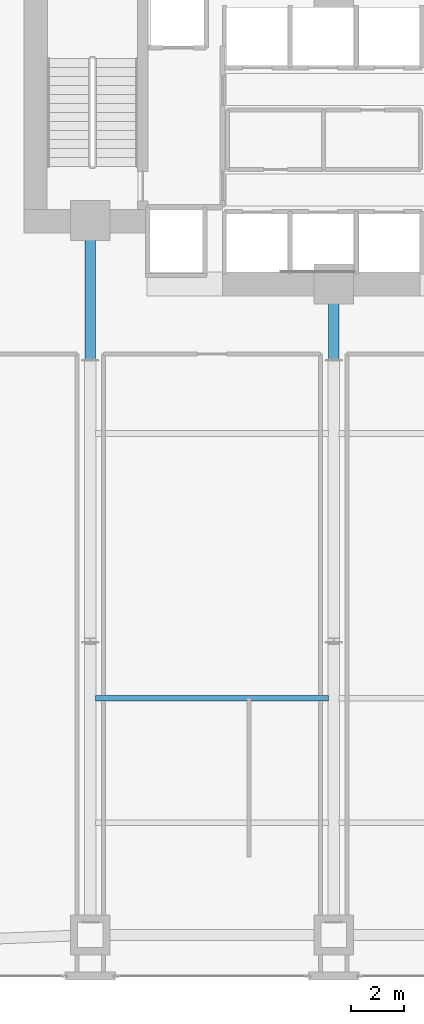
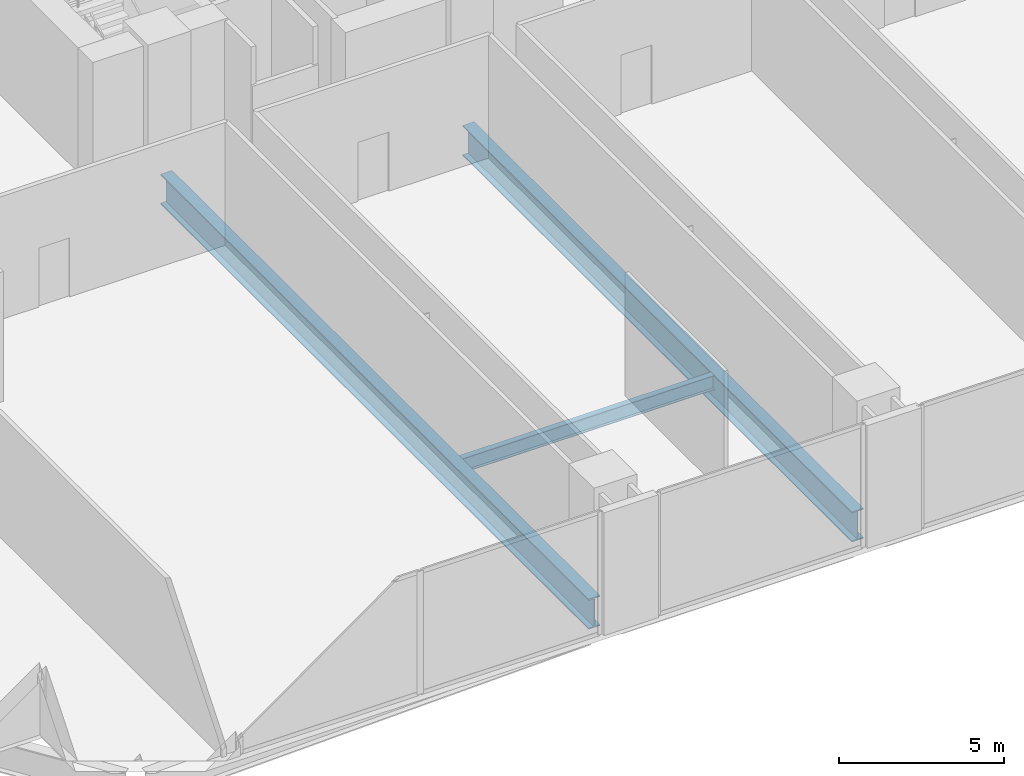
# One storey, part 6 of 33: 3 beams.
"""IFC4 building model written with IfcOpenShell, lengths in metres."""

from ifc_helpers import new_model, si_unit, direction, frame, origin, origin_2d, place, context, subcontext, project, spatial, i_section, extrude, material, material_profile, profile_set, type_object, element, save


model = new_model("IFC4")

# Units and contexts
model_context = context("Model", 3, precision=1e-05, world=origin(), true_north=direction((0.0, 1.0)))
body_context = subcontext(model_context, "Body", "Model", "MODEL_VIEW")
ifc_project = project(units=[si_unit("LENGTHUNIT", "METRE"), si_unit("AREAUNIT", "SQUARE_METRE"), si_unit("VOLUMEUNIT", "CUBIC_METRE"), si_unit("PLANEANGLEUNIT", "RADIAN"), si_unit("MASSUNIT", "GRAM", prefix="KILO")], contexts=[model_context])

# Site, building, storey
site_placement = place(None, origin())
site = spatial("IfcSite", under=ifc_project, at=site_placement, CompositionType="ELEMENT")
building_placement = place(site_placement, origin())
building = spatial("IfcBuilding", under=site, at=building_placement, Name="Zuhayl Quay Hotel", CompositionType="ELEMENT")
storey_placement = place(building_placement, frame((0.0, 0.0, 18.0)))
storey = spatial("IfcBuildingStorey", under=building, at=storey_placement, Name="L03", CompositionType="ELEMENT", Elevation=18.0)

# Beams
ifc_material_1 = material(Name="Steel ASTM A992 Grade 50", Category="steel")
ifc_material_profile_1 = material_profile(ifc_material_1, i_section(OverallWidth=0.208984375, OverallDepth=0.532958984375, WebThickness=0.01025390625, FlangeThickness=0.015625, at=origin_2d()), Name="W21X62")
ifc_profile_set_1 = profile_set([ifc_material_profile_1], Name="Steel ASTM A992 Grade 50")
beam_type_1 = type_object("IfcBeamType", Name="BM_J1_W21X62", PredefinedType="JOIST", material=ifc_profile_set_1)
beam_1_placement = place(storey_placement, frame((-13.60595703125, -13.5, -0.526611328125), z_axis=(1.0, 0.0, 0.0), x_axis=(0.0, 1.0, 0.0)))
element("IfcBeam", 1, at=beam_1_placement, inside=storey, type_object=beam_type_1, Name="L03 Floor Beam J_POD_L03_2_1", PredefinedType="JOIST", context=body_context, shape_type="SweptSolid", body=[
    extrude(i_section(OverallWidth=0.208984375, OverallDepth=0.532958984375, WebThickness=0.01025390625, FlangeThickness=0.015625, at=origin_2d()), origin(), (0.0, 0.0, 1.0), 8.81201171875),
])
ifc_material_2 = material(Name="Steel ASTM A913 Grade 65", Category="steel")
ifc_material_profile_2 = material_profile(ifc_material_2, i_section(OverallWidth=0.404052734375, OverallDepth=1.117919921875, WebThickness=0.026123046875, FlangeThickness=0.044921875, at=origin_2d()), Name="W44X335")
ifc_profile_set_2 = profile_set([ifc_material_profile_2], Name="Steel ASTM A913 Grade 65")
beam_type_2 = type_object("IfcBeamType", Name="BM_TG1_W44X335", PredefinedType="BEAM", material=ifc_profile_set_2)
beam_2_placement = place(storey_placement, frame((-13.800048828125, -21.929931640625, -0.819091796875), z_axis=(0.0, 1.0, 0.0), x_axis=(-1.0, 0.0, 0.0)))
element("IfcBeam", 2, at=beam_2_placement, inside=storey, type_object=beam_type_2, Name="L03 Floor Beam PG_NS_BALL_L03_1", PredefinedType="BEAM", context=body_context, shape_type="SweptSolid", body=[
    extrude(i_section(OverallWidth=0.404052734375, OverallDepth=1.117919921875, WebThickness=0.026123046875, FlangeThickness=0.044921875, at=origin_2d()), origin(), (0.0, 0.0, 1.0), 25.909912109375),
])
beam_3_placement = place(storey_placement, frame((-4.60009765625, -21.929931640625, -0.819091796875), z_axis=(0.0, 1.0, 0.0), x_axis=(-1.0, 0.0, 0.0)))
element("IfcBeam", 3, at=beam_3_placement, inside=storey, type_object=beam_type_2, Name="L03 Floor Beam PG_NS_BALL_L03_2", PredefinedType="BEAM", context=body_context, shape_type="SweptSolid", body=[
    extrude(i_section(OverallWidth=0.404052734375, OverallDepth=1.117919921875, WebThickness=0.026123046875, FlangeThickness=0.044921875, at=origin_2d()), origin(), (0.0, 0.0, 1.0), 23.559814453125),
])

save(model, "model.ifc")
